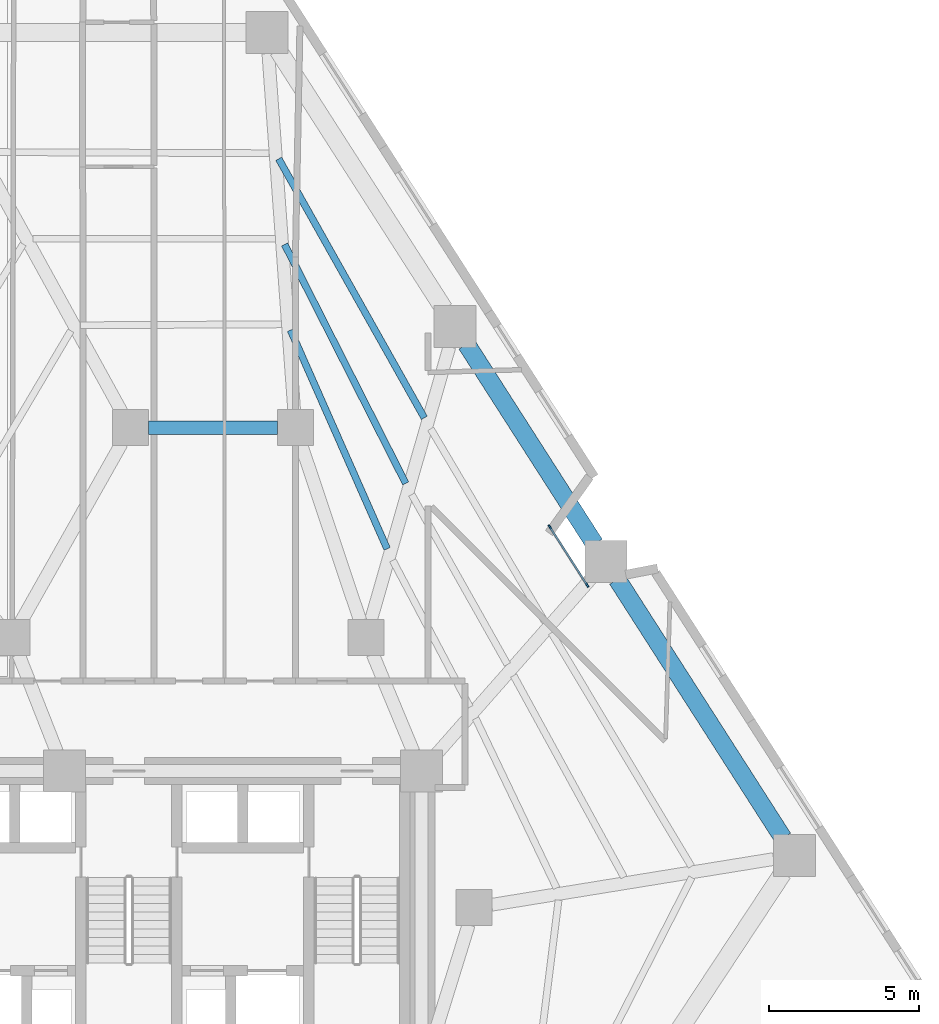
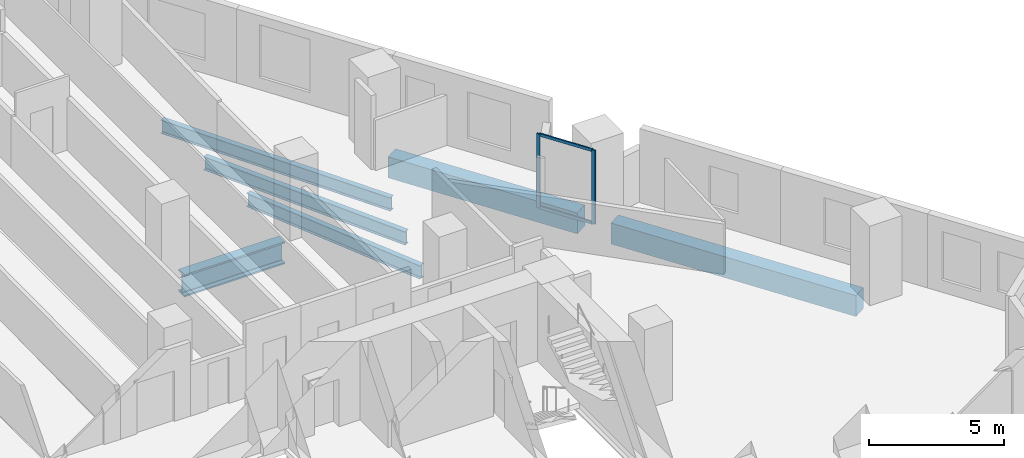
# One storey, part 5 of 15: 6 beams, 4 members, 1 element without a shape of its own.
"""IFC4 building model written with IfcOpenShell, lengths in metres."""

from ifc_helpers import new_model, si_unit, direction, frame, origin, origin_2d, place, context, subcontext, project, spatial, rectangle, i_section, extrude, material, layer, layer_set, material_profile, profile_set, type_object, element, aggregate, save


model = new_model("IFC4")

# Units and contexts
model_context = context("Model", 3, precision=1e-05, world=origin(), true_north=direction((0.0, 1.0)))
body_context = subcontext(model_context, "Body", "Model", "MODEL_VIEW")
ifc_project = project(units=[si_unit("LENGTHUNIT", "METRE"), si_unit("AREAUNIT", "SQUARE_METRE"), si_unit("VOLUMEUNIT", "CUBIC_METRE"), si_unit("PLANEANGLEUNIT", "RADIAN"), si_unit("MASSUNIT", "GRAM", prefix="KILO")], contexts=[model_context])

# Site, building, storey
site_placement = place(None, origin())
site = spatial("IfcSite", under=ifc_project, at=site_placement, CompositionType="ELEMENT")
building_placement = place(site_placement, origin())
building = spatial("IfcBuilding", under=site, at=building_placement, Name="Almagre Mirador Tower", CompositionType="ELEMENT")
storey_placement = place(building_placement, frame((0.0, 0.0, 39.0)))
storey = spatial("IfcBuildingStorey", under=building, at=storey_placement, Name="L08", CompositionType="ELEMENT", Elevation=39.0)

# Beams
ifc_material_1 = material(Name="Steel ASTM A992 Grade 50", Category="steel")
ifc_material_profile_1 = material_profile(ifc_material_1, i_section(OverallWidth=0.22802734375, OverallDepth=0.60791015625, WebThickness=0.01123046875, FlangeThickness=0.017333984375, FilletRadius=0.02001953125, at=origin_2d()), Name="W24X76")
ifc_profile_set_1 = profile_set([ifc_material_profile_1], Name="Steel ASTM A992 Grade 50")
beam_type_1 = type_object("IfcBeamType", Name="BM-JST-W24X76", PredefinedType="JOIST", material=ifc_profile_set_1)
beam_1_placement = place(storey_placement, frame((47.1474609375, 26.530517578125, -0.553955078125), z_axis=(-0.490114956937, 0.871657804982, 0.0), x_axis=(-0.871657804982, -0.490114956937, 0.0)))
element("IfcBeam", 1, at=beam_1_placement, inside=storey, type_object=beam_type_1, Name="L08 secondary floor joist PC07-PC08.1", PredefinedType="JOIST", context=body_context, shape_type="SweptSolid", body=[
    extrude(i_section(OverallWidth=0.22802734375, OverallDepth=0.60791015625, WebThickness=0.01123046875, FlangeThickness=0.017333984375, FilletRadius=0.02001953125, at=origin_2d()), origin(), (0.0, 0.0, 1.0), 9.9052734375),
])
beam_2_placement = place(storey_placement, frame((46.527099609375, 24.34521484375, -0.553955078125), z_axis=(-0.452062838937, 0.891986092746, 0.0), x_axis=(-0.891986092746, -0.452062838937, 0.0)))
element("IfcBeam", 2, at=beam_2_placement, inside=storey, type_object=beam_type_1, Name="L08 secondary floor joist PC07-PC08.2", PredefinedType="JOIST", context=body_context, shape_type="SweptSolid", body=[
    extrude(i_section(OverallWidth=0.22802734375, OverallDepth=0.60791015625, WebThickness=0.01123046875, FlangeThickness=0.017333984375, FilletRadius=0.02001953125, at=origin_2d()), origin(), (0.0, 0.0, 1.0), 8.929443359375),
])
beam_3_placement = place(storey_placement, frame((45.908447265625, 22.160400390625, -0.553955078125), z_axis=(-0.404038153037, 0.914742133549, 0.0), x_axis=(-0.914742133549, -0.404038153037, 0.0)))
element("IfcBeam", 3, at=beam_3_placement, inside=storey, type_object=beam_type_1, Name="L08 secondary floor joist PC07-PC08.3", PredefinedType="JOIST", context=body_context, shape_type="SweptSolid", body=[
    extrude(i_section(OverallWidth=0.22802734375, OverallDepth=0.60791015625, WebThickness=0.01123046875, FlangeThickness=0.017333984375, FilletRadius=0.02001953125, at=origin_2d()), origin(), (0.0, 0.0, 1.0), 7.974365234375),
])
ifc_material_2 = material(Name="Precast concrete C50/60", Category="concrete")
ifc_material_profile_2 = material_profile(ifc_material_2, rectangle(XDim=0.60009765625, YDim=0.949951171875, at=origin_2d()), Name="RC600X950")
ifc_profile_set_2 = profile_set([ifc_material_profile_2], Name="Precast concrete C50/60")
beam_type_2 = type_object("IfcBeamType", Name="BM-SPN-RC600X950", PredefinedType="SPANDREL", material=ifc_profile_set_2)
beam_4_placement = place(storey_placement, frame((59.104248046875, 12.5224609375, -0.72509765625), z_axis=(-0.539549548581, 0.841953849463, 0.0), x_axis=(-0.841953849463, -0.539549548581, 0.0)))
element("IfcBeam", 4, at=beam_4_placement, inside=storey, type_object=beam_type_2, Name="L08 perimeter spandrel beam PC05-PC06", PredefinedType="SPANDREL", context=body_context, shape_type="SweptSolid", body=[
    extrude(rectangle(XDim=0.60009765625, YDim=0.949951171875, at=origin_2d()), origin(), (0.0, 0.0, 1.0), 10.239501953125),
])
beam_5_placement = place(storey_placement, frame((52.82421875, 22.322509765625, -0.72509765625), z_axis=(-0.539540486584, 0.841959656597, 0.0), x_axis=(-0.841959656597, -0.539540486584, 0.0)))
element("IfcBeam", 5, at=beam_5_placement, inside=storey, type_object=beam_type_2, Name="L08 perimeter spandrel beam PC06-PC07", PredefinedType="SPANDREL", context=body_context, shape_type="SweptSolid", body=[
    extrude(rectangle(XDim=0.60009765625, YDim=0.949951171875, at=origin_2d()), origin(), (0.0, 0.0, 1.0), 7.911376953125),
])
ifc_material_3 = material(Name="Steel ASTM A992 Grade 50", Category="steel")
ifc_material_profile_3 = material_profile(ifc_material_3, i_section(OverallWidth=0.43701171875, OverallDepth=1.010986328125, WebThickness=0.041015625, FlangeThickness=0.073974609375, FilletRadius=0.028076171875, at=origin_2d()), Name="W36X529")
ifc_profile_set_3 = profile_set([ifc_material_profile_3], Name="Steel ASTM A992 Grade 50")
beam_type_3 = type_object("IfcBeamType", Name="BM-STL-W36X529", PredefinedType="BEAM", material=ifc_profile_set_3)
beam_6_placement = place(storey_placement, frame((37.949951171875, 26.199951171875, -0.755615234375), z_axis=(1.0, 0.0, 0.0), x_axis=(0.0, 1.0, 0.0)))
element("IfcBeam", 6, at=beam_6_placement, inside=storey, type_object=beam_type_3, Name="L08 core tie girder MC7-MC6", PredefinedType="BEAM", context=body_context, shape_type="SweptSolid", body=[
    extrude(i_section(OverallWidth=0.43701171875, OverallDepth=1.010986328125, WebThickness=0.041015625, FlangeThickness=0.073974609375, FilletRadius=0.028076171875, at=origin_2d()), origin(), (0.0, 0.0, 1.0), 4.300048828125),
])

# Curtain wall, members
ifc_material_4 = material(Name="Black anodized aluminium", Category="aluminium")
ifc_layer = layer(ifc_material_4, 0.169921875)
ifc_layer_set = layer_set([ifc_layer], Name="Black anodized aluminium")
curtain_wall_type = type_object("IfcCurtainWallType", Name="CW-CRS-SYS", PredefinedType="NOTDEFINED", material=ifc_layer_set)
curtain_wall_placement = place(storey_placement, origin())
curtain_wall = element("IfcCurtainWall", 7, at=curtain_wall_placement, inside=storey, type_object=curtain_wall_type, Name="L08 vertical crease curtain wall 03", PredefinedType="NOTDEFINED")
ifc_material_5 = material(Name="Black anodized aluminium", Category="aluminium")
ifc_material_profile_4 = material_profile(ifc_material_5, rectangle(XDim=0.06005859375, YDim=0.14990234375, at=origin_2d()), Name="CWM60X150")
ifc_profile_set_4 = profile_set([ifc_material_profile_4], Name="Black anodized aluminium")
member_type_1 = type_object("IfcMemberType", Name="MBR-CWM60X150", PredefinedType="MULLION", material=ifc_profile_set_4)
member_1_placement = place(storey_placement, frame((51.32958984375, 22.892578125, 0.0), z_axis=(0.0, 0.0, 1.0), x_axis=(0.841762109764, 0.539848636718, 0.0)))
member_1 = element("IfcMember", 8, at=member_1_placement, type_object=member_type_1, Name="CW-4 mullion 1", PredefinedType="MULLION", context=body_context, shape_type="SweptSolid", body=[
    extrude(rectangle(XDim=0.06005859375, YDim=0.14990234375, at=origin_2d()), origin(), (0.0, 0.0, 1.0), 3.35009765625),
])
member_2_placement = place(storey_placement, frame((52.576416015625, 20.948486328125, 0.0), z_axis=(0.0, 0.0, 1.0), x_axis=(0.841762109764, 0.539848636718, 0.0)))
member_2 = element("IfcMember", 9, at=member_2_placement, type_object=member_type_1, Name="CW-4 mullion 2", PredefinedType="MULLION", context=body_context, shape_type="SweptSolid", body=[
    extrude(rectangle(XDim=0.06005859375, YDim=0.14990234375, at=origin_2d()), origin(), (0.0, 0.0, 1.0), 3.35009765625),
])
ifc_material_6 = material(Name="Black anodized aluminium", Category="aluminium")
ifc_material_profile_5 = material_profile(ifc_material_6, rectangle(XDim=0.06005859375, YDim=0.1298828125, at=origin_2d()), Name="CWT60X130")
ifc_profile_set_5 = profile_set([ifc_material_profile_5], Name="Black anodized aluminium")
member_type_2 = type_object("IfcMemberType", Name="MBR-CWT60X130", PredefinedType="USERDEFINED", material=ifc_profile_set_5)
member_3_placement = place(storey_placement, frame((51.345703125, 22.8671875, 0.030029296875), z_axis=(0.539912624717, -0.841721068805, 0.0), x_axis=(0.841721068805, 0.539912624717, 0.0)))
member_3 = element("IfcMember", 10, at=member_3_placement, type_object=member_type_2, Name="CW-4 transom 1.1", ObjectType="TRANSOM", PredefinedType="USERDEFINED", context=body_context, shape_type="SweptSolid", body=[
    extrude(rectangle(XDim=0.06005859375, YDim=0.1298828125, at=origin_2d()), origin(), (0.0, 0.0, 1.0), 2.24951171875),
])
member_4_placement = place(storey_placement, frame((51.345703125, 22.8671875, 3.320068359375), z_axis=(0.539912624717, -0.841721068805, 0.0), x_axis=(0.841721068805, 0.539912624717, 0.0)))
member_4 = element("IfcMember", 11, at=member_4_placement, type_object=member_type_2, Name="CW-4 transom 1.2", ObjectType="TRANSOM", PredefinedType="USERDEFINED", context=body_context, shape_type="SweptSolid", body=[
    extrude(rectangle(XDim=0.06005859375, YDim=0.1298828125, at=origin_2d()), origin(), (0.0, 0.0, 1.0), 2.24951171875),
])
aggregate(curtain_wall, [member_1, member_2, member_3, member_4])

save(model, "model.ifc")
